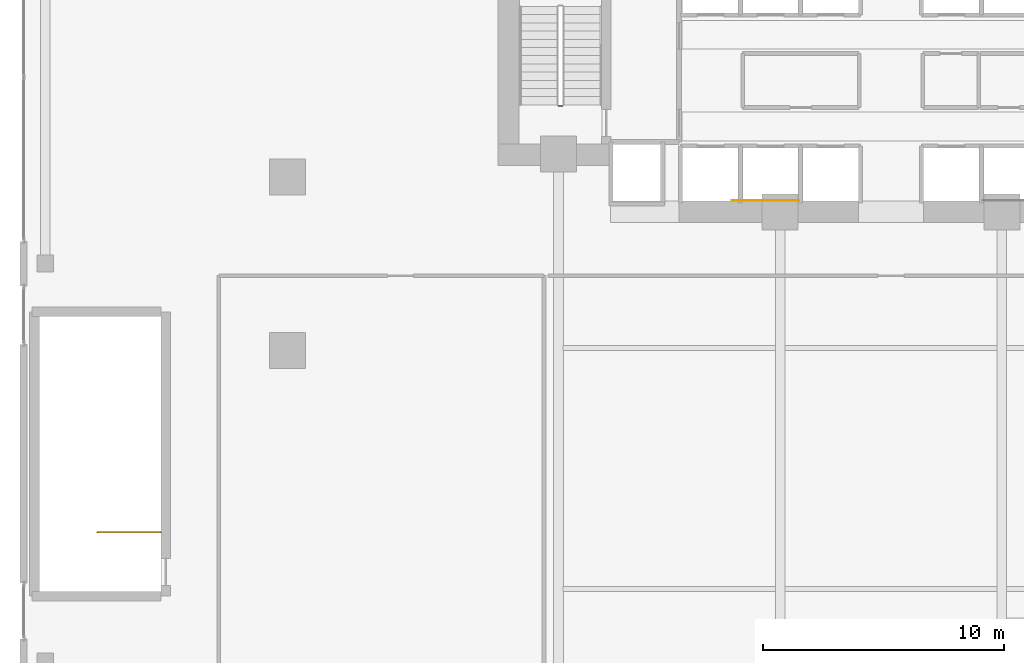
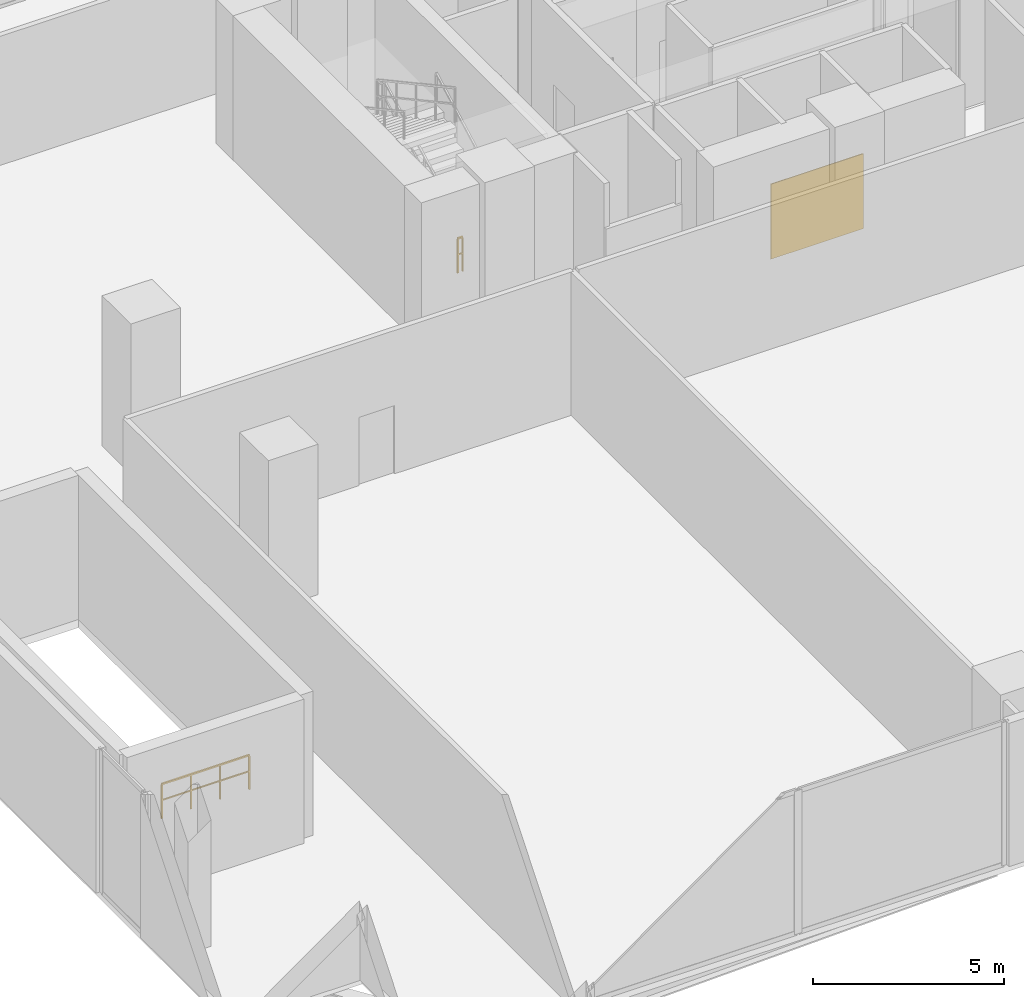
# One storey, part 24 of 28: 2 railings, 1 covering.
"""IFC4 building model written with IfcOpenShell, lengths in metres."""

import ifcopenshell
import ifcopenshell.guid

model = None  # the IFC model being written
_history = None  # IfcOwnerHistory: only IFC2X3 demands one
_inside = {}  # id of a spatial element -> (the spatial element, [elements in it])
_under = {}  # id of a project, library or spatial element -> (it, [spatial elements below it])
_declared = {}  # id of a project -> (the project, [libraries it declares])
_typed = {}  # id of a type object -> (the type object, [elements of that type])
_made_of = {}  # id of a material, layer set ... -> (it, [elements and type objects made of it])


def new_model(schema):
    """Start an empty IFC model of exactly this schema.

    Asked for "IFC4X3", IfcOpenShell would pick the latest addendum, in which some entities
    have other attributes; the version numbers below select the first issue.
    IFC2X3 requires an IfcOwnerHistory on every rooted entity: one is made here for all.
    """
    global model, _history
    if schema == "IFC4X3":
        model = ifcopenshell.file(schema_version=(4, 3, 0, 0))
    else:
        model = ifcopenshell.file(schema=schema)
    _inside.clear()
    _under.clear()
    _declared.clear()
    _typed.clear()
    _made_of.clear()
    _history = None
    if model.schema == "IFC2X3":
        org = make("IfcOrganization", Name="unknown")
        user = make(
            "IfcPersonAndOrganization",
            ThePerson=make("IfcPerson", FamilyName="unknown"),
            TheOrganization=org,
        )
        app = make(
            "IfcApplication",
            ApplicationDeveloper=org,
            Version="unknown",
            ApplicationFullName="unknown",
            ApplicationIdentifier="unknown",
        )
        _history = make(
            "IfcOwnerHistory",
            OwningUser=user,
            OwningApplication=app,
            ChangeAction="ADDED",
            CreationDate=0,
        )
    return model


def make(cls, **values):
    """One entity of the class cls with the attributes given. An attribute that is None is left unset."""
    return model.create_entity(
        cls, **{name: value for name, value in values.items() if value is not None}
    )


def rooted(cls, **values):
    """An entity with a GlobalId (a new one), such as an element, a storey or a relation."""
    return make(cls, GlobalId=ifcopenshell.guid.new(), OwnerHistory=_history, **values)


def si_unit(unit_type, name, prefix=None):
    """IfcSIUnit, for example si_unit("LENGTHUNIT", "METRE", prefix="MILLI")."""
    return make("IfcSIUnit", UnitType=unit_type, Prefix=prefix, Name=name)


def assignment(units):
    """IfcUnitAssignment: the units of a project."""
    return None if units is None else make("IfcUnitAssignment", Units=units)


def point(xyz):
    """IfcCartesianPoint."""
    return None if xyz is None else make("IfcCartesianPoint", Coordinates=xyz)


def direction(xyz):
    """IfcDirection."""
    return None if xyz is None else make("IfcDirection", DirectionRatios=xyz)


def frame(location, z_axis=None, x_axis=None):
    """IfcAxis2Placement3D, a coordinate frame: its origin and axes. An axis left out is left unset."""
    return make(
        "IfcAxis2Placement3D",
        Location=point(location),
        Axis=direction(z_axis),
        RefDirection=direction(x_axis),
    )


def frame_2d(location, x_axis=None):
    """IfcAxis2Placement2D, a coordinate frame in the plane: its origin and x axis."""
    return make(
        "IfcAxis2Placement2D", Location=point(location), RefDirection=direction(x_axis)
    )


def origin():
    """The frame at (0, 0, 0) with its axes left unset."""
    return frame((0.0, 0.0, 0.0))


def origin_2d():
    """The frame at (0, 0) in the plane with its x axis left unset."""
    return frame_2d((0.0, 0.0))


def place(relative_to, where):
    """IfcLocalPlacement: puts the frame where relative to a parent placement (None: the world)."""
    return make(
        "IfcLocalPlacement", PlacementRelTo=relative_to, RelativePlacement=where
    )


def context(
    kind, dimensions, precision=None, world=None, true_north=None, identifier=None
):
    """IfcGeometricRepresentationContext, for example the 3D "Model" context."""
    return make(
        "IfcGeometricRepresentationContext",
        ContextIdentifier=identifier,
        ContextType=kind,
        CoordinateSpaceDimension=dimensions,
        Precision=precision,
        WorldCoordinateSystem=world,
        TrueNorth=true_north,
    )


def subcontext(parent, identifier, kind, view, scale=None):
    """IfcGeometricRepresentationSubContext, for example "Body" below "Model"."""
    return make(
        "IfcGeometricRepresentationSubContext",
        ContextIdentifier=identifier,
        ContextType=kind,
        ParentContext=parent,
        TargetScale=scale,
        TargetView=view,
    )


def project(units=None, contexts=None):
    """IfcProject with its units and contexts."""
    return rooted(
        "IfcProject",
        Name="project",
        RepresentationContexts=contexts,
        UnitsInContext=assignment(units),
    )


def spatial(cls, under=None, at=None, **own):
    """A site, building, storey or space (cls), placed at a placement, below another one or the project."""
    s = rooted(cls, ObjectPlacement=at, **own)
    if under is not None:
        _under.setdefault(under.id(), (under, []))[1].append(s)
    return s


def profile(cls, at=None, kind="AREA", **sizes):
    """A parametric profile (cls). Its sizes go by their IFC names, for example OverallWidth=200.0."""
    return make(cls, ProfileType=kind, Position=at, **sizes)


def rectangle(**sizes):
    """IfcRectangleProfileDef."""
    return profile("IfcRectangleProfileDef", **sizes)


def extrude(swept, where, along, depth):
    """IfcExtrudedAreaSolid: the profile swept, set in the frame where, extruded along a direction by depth."""
    return make(
        "IfcExtrudedAreaSolid",
        SweptArea=swept,
        Position=where,
        ExtrudedDirection=direction(along),
        Depth=depth,
    )


def shape(context_of_items, identifier, shape_type, items):
    """IfcShapeRepresentation: the items that make up one representation, for example the "Body"."""
    return make(
        "IfcShapeRepresentation",
        ContextOfItems=context_of_items,
        RepresentationIdentifier=identifier,
        RepresentationType=shape_type,
        Items=items,
    )


def material(Name=None, Category=None):
    """IfcMaterial."""
    return make("IfcMaterial", Name=Name, Category=Category)


def layer(
    of_material, thickness, ventilated=None, Name=None, Category=None, Priority=None
):
    """IfcMaterialLayer: one layer of a wall or slab, of a material (None: an air gap)."""
    return make(
        "IfcMaterialLayer",
        Material=of_material,
        LayerThickness=thickness,
        IsVentilated=ventilated,
        Name=Name,
        Category=Category,
        Priority=Priority,
    )


def layer_set(layers, Name=None):
    """IfcMaterialLayerSet."""
    return make("IfcMaterialLayerSet", MaterialLayers=layers, LayerSetName=Name)


def made_of(thing, what):
    """Note that an element or type object is made of a material, layer set ...; save() writes the relation."""
    if what is not None:
        _made_of.setdefault(what.id(), (what, []))[1].append(thing)
    return thing


def type_object(cls, material=None, **own):
    """A type object (cls), such as IfcWallType, which elements share."""
    return made_of(rooted(cls, **own), material)


def element(
    cls,
    number,
    at=None,
    inside=None,
    cuts=None,
    type_object=None,
    material=None,
    context=None,
    identifier="Body",
    shape_type=None,
    held_by="IfcProductDefinitionShape",
    body=None,
    shapes=None,
    **own,
):
    """One element of the class cls, such as IfcWall. Its Tag is "e" and its number.

    at: its placement. inside: the storey or other place that contains it. cuts: it is an
    opening in that element (IfcRelVoidsElement). A single representation is given by context,
    identifier, shape_type and body (its items); several are given by shapes. held_by: the class
    of the entity that holds the representations. save() writes the other relations.
    """
    e = rooted(cls, Tag="e%d" % number, ObjectPlacement=at, **own)
    if body is not None:
        shapes = [shape(context, identifier, shape_type, body)]
    if shapes is not None:
        e.Representation = make(held_by, Representations=shapes)
    if inside is not None:
        _inside.setdefault(inside.id(), (inside, []))[1].append(e)
    if cuts is not None:
        rooted(
            "IfcRelVoidsElement", RelatingBuildingElement=cuts, RelatedOpeningElement=e
        )
    if type_object is not None:
        _typed.setdefault(type_object.id(), (type_object, []))[1].append(e)
    return made_of(e, material)


def aggregate(whole, parts):
    """IfcRelAggregates: a whole, such as a stair, and the parts it consists of."""
    return rooted("IfcRelAggregates", RelatingObject=whole, RelatedObjects=parts)


def save(model, path):
    """Write the relations noted so far, then the file.

    IfcRelAggregates (storeys below a building ...), IfcRelContainedInSpatialStructure (elements
    in a storey), IfcRelDefinesByType, IfcRelAssociatesMaterial and IfcRelDeclares: one each for
    every whole, place, type object, material and project.
    """
    for whole, parts in _under.values():
        aggregate(whole, parts)
    for where, things in _inside.values():
        rooted(
            "IfcRelContainedInSpatialStructure",
            RelatedElements=things,
            RelatingStructure=where,
        )
    for kind, things in _typed.values():
        rooted("IfcRelDefinesByType", RelatedObjects=things, RelatingType=kind)
    for what, things in _made_of.values():
        rooted("IfcRelAssociatesMaterial", RelatedObjects=things, RelatingMaterial=what)
    for by, libraries in _declared.values():
        rooted("IfcRelDeclares", RelatingContext=by, RelatedDefinitions=libraries)
    model.write(path)


model = new_model("IFC4")

# Units and contexts
model_context = context("Model", 3, precision=1e-05, world=origin(), true_north=direction((0.0, 1.0)))
body_context = subcontext(model_context, "Body", "Model", "MODEL_VIEW")
ifc_project = project(units=[si_unit("LENGTHUNIT", "METRE"), si_unit("AREAUNIT", "SQUARE_METRE"), si_unit("VOLUMEUNIT", "CUBIC_METRE"), si_unit("PLANEANGLEUNIT", "RADIAN"), si_unit("MASSUNIT", "GRAM", prefix="KILO")], contexts=[model_context])

# Site, building, storey
site_placement = place(None, origin())
site = spatial("IfcSite", under=ifc_project, at=site_placement, CompositionType="ELEMENT")
building_placement = place(site_placement, origin())
building = spatial("IfcBuilding", under=site, at=building_placement, Name="Zuhayl Quay Hotel", CompositionType="ELEMENT")
storey_placement = place(building_placement, frame((0.0, 0.0, 22.800048828125)))
storey = spatial("IfcBuildingStorey", under=building, at=storey_placement, Name="L04", CompositionType="ELEMENT", Elevation=22.800048828125)

# Covering
ifc_material_1 = material(Name="Acoustic Walnut Feature Timber", Category="wood")
ifc_layer = layer(ifc_material_1, 0.02197265625, Name="Acoustic Walnut Feature Timber", Category="wood")
ifc_layer_set = layer_set([ifc_layer], Name="Acoustic Walnut Feature Timber")
covering_type = type_object("IfcCoveringType", Name="CV_WALL_CLAD", PredefinedType="CLADDING", material=ifc_layer_set)
covering_placement = place(storey_placement, frame((-5.199951171875, 2.611083984375, 0.300048828125), z_axis=(0.0, 0.0, 1.0), x_axis=(1.0, 0.0, 0.0)))
element("IfcCovering", 1, at=covering_placement, inside=storey, type_object=covering_type, Name="L04 Feature Lobby Walnut Wall Cladding W", PredefinedType="CLADDING", context=body_context, shape_type="SweptSolid", body=[
    extrude(rectangle(XDim=2.800048828125, YDim=0.02197265625, at=origin_2d()), origin(), (0.0, 0.0, 1.0), 2.39990234375),
])

# Railings
ifc_material_2 = material(Name="Steel ASTM A992 Grade 50", Category="steel")
railing_type = type_object("IfcRailingType", Name="RL_GUARD_1100", PredefinedType="GUARDRAIL", material=ifc_material_2)
railing_1_placement = place(storey_placement, frame((-13.639892578125, 6.5400390625, 0.0)))
element("IfcRailing", 2, at=railing_1_placement, inside=storey, type_object=railing_type, Name="L04 ST1 stair guard 4", PredefinedType="GUARDRAIL", context=body_context, shape_type="SweptSolid", body=[
    extrude(rectangle(XDim=0.048095703125, YDim=0.048095703125, at=origin_2d()), frame((0.0, 0.0, 1.09619140625), z_axis=(-1.0, 0.0, 0.0), x_axis=(0.0, -1.0, 0.0)), (0.0, 0.0, 1.0), 0.150146484375),
    extrude(rectangle(XDim=0.0361328125, YDim=0.0361328125, at=origin_2d()), frame((0.0, 0.0, 0.58251953125), z_axis=(-1.0, 0.0, 0.0), x_axis=(0.0, -1.0, 0.0)), (0.0, 0.0, 1.0), 0.150146484375),
    extrude(rectangle(XDim=0.0419921875, YDim=0.0419921875, at=origin_2d()), origin(), (0.0, 0.0, 1.0), 1.072021484375),
    extrude(rectangle(XDim=0.0419921875, YDim=0.0419921875, at=origin_2d()), frame((-0.150146484375, 0.0, 0.0)), (0.0, 0.0, 1.0), 1.072021484375),
])
railing_2_placement = place(storey_placement, frame((-30.300048828125, -11.14990234375, 0.0)))
element("IfcRailing", 3, at=railing_2_placement, inside=storey, type_object=railing_type, Name="L04 ST3 top well guard 1", PredefinedType="GUARDRAIL", context=body_context, shape_type="SweptSolid", body=[
    extrude(rectangle(XDim=0.048095703125, YDim=0.048095703125, at=origin_2d()), frame((0.0, 0.0, 1.09619140625), z_axis=(-1.0, 0.0, 0.0), x_axis=(0.0, -1.0, 0.0)), (0.0, 0.0, 1.0), 2.64990234375),
    extrude(rectangle(XDim=0.0361328125, YDim=0.0361328125, at=origin_2d()), frame((0.0, 0.0, 0.58251953125), z_axis=(-1.0, 0.0, 0.0), x_axis=(0.0, -1.0, 0.0)), (0.0, 0.0, 1.0), 2.64990234375),
    extrude(rectangle(XDim=0.0419921875, YDim=0.0419921875, at=origin_2d()), origin(), (0.0, 0.0, 1.0), 1.072021484375),
    extrude(rectangle(XDim=0.0419921875, YDim=0.0419921875, at=origin_2d()), frame((-0.88330078125, 0.0, 0.0)), (0.0, 0.0, 1.0), 1.072021484375),
    extrude(rectangle(XDim=0.0419921875, YDim=0.0419921875, at=origin_2d()), frame((-1.7666015625, 0.0, 0.0)), (0.0, 0.0, 1.0), 1.072021484375),
    extrude(rectangle(XDim=0.0419921875, YDim=0.0419921875, at=origin_2d()), frame((-2.64990234375, 0.0, 0.0)), (0.0, 0.0, 1.0), 1.072021484375),
])

save(model, "model.ifc")
